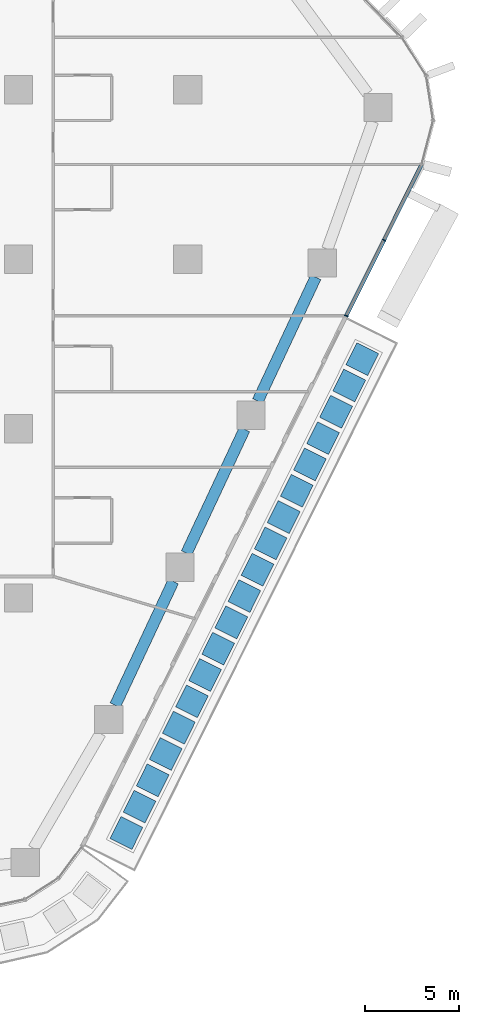
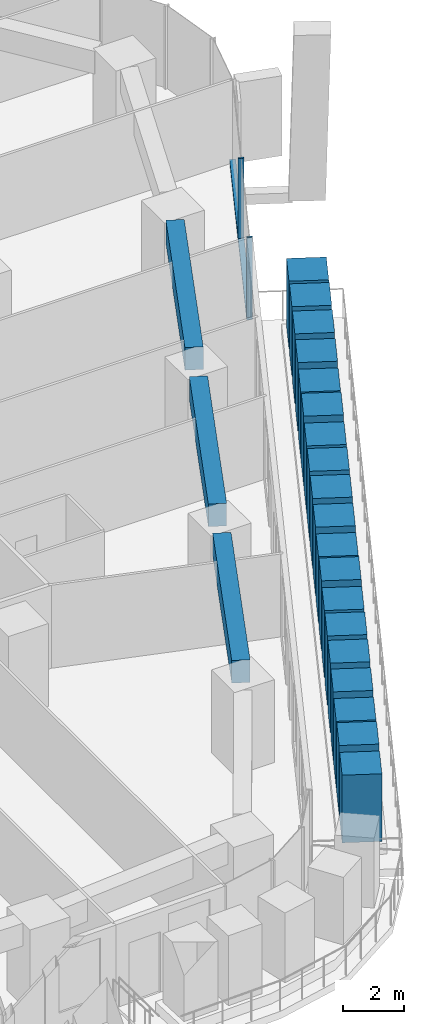
# One storey, part 7 of 27: 22 members, 3 beams, 1 element without a shape of its own.
"""IFC4 building model written with IfcOpenShell, lengths in metres."""

from ifc_helpers import new_model, si_unit, direction, frame, origin, origin_2d, place, context, subcontext, project, spatial, rectangle, extrude, material, layer, layer_set, material_profile, profile_set, type_object, element, aggregate, save


model = new_model("IFC4")

# Units and contexts
model_context = context("Model", 3, precision=1e-05, world=origin(), true_north=direction((0.0, 1.0)))
body_context = subcontext(model_context, "Body", "Model", "MODEL_VIEW")
ifc_project = project(units=[si_unit("LENGTHUNIT", "METRE"), si_unit("AREAUNIT", "SQUARE_METRE"), si_unit("VOLUMEUNIT", "CUBIC_METRE"), si_unit("PLANEANGLEUNIT", "RADIAN"), si_unit("MASSUNIT", "GRAM", prefix="KILO")], contexts=[model_context])

# Site, building, storey
site_placement = place(None, origin())
site = spatial("IfcSite", under=ifc_project, at=site_placement, CompositionType="ELEMENT")
building_placement = place(site_placement, origin())
building = spatial("IfcBuilding", under=site, at=building_placement, Name="Dongbaek Canopy Tower", CompositionType="ELEMENT")
storey_placement = place(building_placement, frame((0.0, 0.0, 62.5)))
storey = spatial("IfcBuildingStorey", under=building, at=storey_placement, Name="L11", CompositionType="ELEMENT", Elevation=62.5)

# Curtain wall, members
ifc_material_1 = material(Name="Aluminium 6063-T6 pale anodised", Category="aluminium")
ifc_layer = layer(ifc_material_1, 0.199951171875)
ifc_layer_set = layer_set([ifc_layer], Name="CW-1 unitised tower curtain wall")
curtain_wall_type = type_object("IfcCurtainWallType", Name="CW-1 unitised tower curtain wall", PredefinedType="NOTDEFINED", material=ifc_layer_set)
curtain_wall_placement = place(storey_placement, origin())
curtain_wall = element("IfcCurtainWall", 1, at=curtain_wall_placement, inside=storey, type_object=curtain_wall_type, Name="CW-1 curtain wall F5.1", PredefinedType="NOTDEFINED")
ifc_material_2 = material(Name="Aluminium 6063-T6 pale anodised", Category="aluminium")
ifc_material_profile_1 = material_profile(ifc_material_2, rectangle(XDim=0.199951171875, YDim=0.06005859375, at=origin_2d()), Name="CW-1 mullion 60 x 200")
ifc_profile_set_1 = profile_set([ifc_material_profile_1], Name="Aluminium 6063-T6 pale anodised")
member_type_1 = type_object("IfcMemberType", Name="CW-1 mullion 60 x 200", PredefinedType="MULLION", material=ifc_profile_set_1)
member_1_placement = place(storey_placement, frame((35.414306640625, -3.00634765625, 0.1201171875), z_axis=(0.0, 0.0, 1.0), x_axis=(0.895193313704, -0.445678057682, 0.0)))
member_1 = element("IfcMember", 2, at=member_1_placement, type_object=member_type_1, Name="CW-1 mullion F5.1.1", PredefinedType="MULLION", context=body_context, shape_type="SweptSolid", body=[
    extrude(rectangle(XDim=0.199951171875, YDim=0.06005859375, at=origin_2d()), origin(), (0.0, 0.0, 1.0), 3.179931640625),
])
member_2_placement = place(storey_placement, frame((37.418212890625, 1.018798828125, 0.1201171875), z_axis=(0.0, 0.0, 1.0), x_axis=(0.895193313704, -0.445678057682, 0.0)))
member_2 = element("IfcMember", 3, at=member_2_placement, type_object=member_type_1, Name="CW-1 mullion F5.1.2", PredefinedType="MULLION", context=body_context, shape_type="SweptSolid", body=[
    extrude(rectangle(XDim=0.199951171875, YDim=0.06005859375, at=origin_2d()), origin(), (0.0, 0.0, 1.0), 3.179931640625),
])
ifc_material_3 = material(Name="Aluminium 6063-T6 pale anodised", Category="aluminium")
ifc_material_profile_2 = material_profile(ifc_material_3, rectangle(XDim=0.199951171875, YDim=0.1201171875, at=origin_2d()), Name="CW-1 transom 120 x 200")
ifc_profile_set_2 = profile_set([ifc_material_profile_2], Name="Aluminium 6063-T6 pale anodised")
member_type_2 = type_object("IfcMemberType", Name="CW-1 transom 120 x 200", PredefinedType="USERDEFINED", material=ifc_profile_set_2)
member_3_placement = place(storey_placement, frame((35.414306640625, -3.00634765625, 0.06005859375), z_axis=(0.445690891022, 0.895186924424, 0.0), x_axis=(-0.895186924424, 0.445690891022, 0.0)))
member_3 = element("IfcMember", 4, at=member_3_placement, type_object=member_type_2, Name="CW-1 transom F5.1.1", ObjectType="TRANSOM", PredefinedType="USERDEFINED", context=body_context, shape_type="SweptSolid", body=[
    extrude(rectangle(XDim=0.199951171875, YDim=0.1201171875, at=origin_2d()), origin(), (0.0, 0.0, 1.0), 8.982421875),
])
aggregate(curtain_wall, [member_1, member_2, member_3])

# Beams
ifc_material_4 = material(Name="Concrete C80", Category="concrete")
ifc_material_profile_3 = material_profile(ifc_material_4, rectangle(XDim=0.60009765625, YDim=0.89990234375, at=origin_2d()), Name="RC EDGE BEAM 600x900 C80")
ifc_profile_set_3 = profile_set([ifc_material_profile_3], Name="Concrete C80")
beam_type = type_object("IfcBeamType", Name="RC EDGE BEAM 600x900 C80", PredefinedType="BEAM", material=ifc_profile_set_3)
beam_1_placement = place(storey_placement, frame((33.791748046875, -0.955078125, 2.85009765625), z_axis=(-0.424064450026, -0.905632012588, 0.0), x_axis=(0.905632012588, -0.424064450026, 0.0)))
element("IfcBeam", 5, at=beam_1_placement, inside=storey, type_object=beam_type, Name="EDGEBEAM:L11:22", PredefinedType="BEAM", context=body_context, shape_type="SweptSolid", body=[
    extrude(rectangle(XDim=0.60009765625, YDim=0.89990234375, at=origin_2d()), origin(), (0.0, 0.0, 1.0), 7.264404296875),
])
beam_2_placement = place(storey_placement, frame((30.0087890625, -9.033935546875, 2.85009765625), z_axis=(-0.424110161641, -0.905610606604, 0.0), x_axis=(0.905610606604, -0.424110161641, 0.0)))
element("IfcBeam", 6, at=beam_2_placement, inside=storey, type_object=beam_type, Name="EDGEBEAM:L11:23", PredefinedType="BEAM", context=body_context, shape_type="SweptSolid", body=[
    extrude(rectangle(XDim=0.60009765625, YDim=0.89990234375, at=origin_2d()), origin(), (0.0, 0.0, 1.0), 7.265869140625),
])
beam_3_placement = place(storey_placement, frame((26.224609375, -17.114013671875, 2.85009765625), z_axis=(-0.42413422917, -0.905599335052, 0.0), x_axis=(0.905599335052, -0.42413422917, 0.0)))
element("IfcBeam", 7, at=beam_3_placement, inside=storey, type_object=beam_type, Name="EDGEBEAM:L11:24", PredefinedType="BEAM", context=body_context, shape_type="SweptSolid", body=[
    extrude(rectangle(XDim=0.60009765625, YDim=0.89990234375, at=origin_2d()), origin(), (0.0, 0.0, 1.0), 7.264892578125),
])

# Members
ifc_material_5 = material(Name="Concrete C40/50 planter mass with planting", Category="concrete")
ifc_material_profile_4 = material_profile(ifc_material_5, rectangle(XDim=1.300048828125, YDim=1.300048828125, at=origin_2d()), Name="Terrace PLANTER shrub mass 1300 x 1300")
ifc_profile_set_4 = profile_set([ifc_material_profile_4], Name="Concrete C40/50 planter mass with planting")
member_type_3 = type_object("IfcMemberType", Name="Terrace PLANTER shrub mass 1300 x 1300", PredefinedType="USERDEFINED", material=ifc_profile_set_4)
member_4_placement = place(storey_placement, frame((23.738037109375, -30.475830078125, 0.419921875), z_axis=(0.0, 0.0, 1.0), x_axis=(0.895193313704, -0.445678057682, 0.0)))
element("IfcMember", 8, at=member_4_placement, inside=storey, type_object=member_type_3, Name="Planter shrubs L11 5.1", ObjectType="PLANTER", PredefinedType="USERDEFINED", context=body_context, shape_type="SweptSolid", body=[
    extrude(rectangle(XDim=1.300048828125, YDim=1.300048828125, at=origin_2d()), origin(), (0.0, 0.0, 1.0), 2.690185546875),
])
member_5_placement = place(storey_placement, frame((24.43408203125, -29.07763671875, 0.419921875), z_axis=(0.0, 0.0, 1.0), x_axis=(0.895193313704, -0.445678057682, 0.0)))
element("IfcMember", 9, at=member_5_placement, inside=storey, type_object=member_type_3, Name="Planter shrubs L11 5.2", ObjectType="PLANTER", PredefinedType="USERDEFINED", context=body_context, shape_type="SweptSolid", body=[
    extrude(rectangle(XDim=1.300048828125, YDim=1.300048828125, at=origin_2d()), origin(), (0.0, 0.0, 1.0), 2.780029296875),
])
member_6_placement = place(storey_placement, frame((25.130126953125, -27.679443359375, 0.419921875), z_axis=(0.0, 0.0, 1.0), x_axis=(0.895193313704, -0.445678057682, 0.0)))
element("IfcMember", 10, at=member_6_placement, inside=storey, type_object=member_type_3, Name="Planter shrubs L11 5.3", ObjectType="PLANTER", PredefinedType="USERDEFINED", context=body_context, shape_type="SweptSolid", body=[
    extrude(rectangle(XDim=1.300048828125, YDim=1.300048828125, at=origin_2d()), origin(), (0.0, 0.0, 1.0), 2.650146484375),
])
member_7_placement = place(storey_placement, frame((25.826416015625, -26.28125, 0.419921875), z_axis=(0.0, 0.0, 1.0), x_axis=(0.895193313704, -0.445678057682, 0.0)))
element("IfcMember", 11, at=member_7_placement, inside=storey, type_object=member_type_3, Name="Planter shrubs L11 5.4", ObjectType="PLANTER", PredefinedType="USERDEFINED", context=body_context, shape_type="SweptSolid", body=[
    extrude(rectangle(XDim=1.300048828125, YDim=1.300048828125, at=origin_2d()), origin(), (0.0, 0.0, 1.0), 2.72998046875),
])
member_8_placement = place(storey_placement, frame((26.5224609375, -24.883056640625, 0.419921875), z_axis=(0.0, 0.0, 1.0), x_axis=(0.895193313704, -0.445678057682, 0.0)))
element("IfcMember", 12, at=member_8_placement, inside=storey, type_object=member_type_3, Name="Planter shrubs L11 5.5", ObjectType="PLANTER", PredefinedType="USERDEFINED", context=body_context, shape_type="SweptSolid", body=[
    extrude(rectangle(XDim=1.300048828125, YDim=1.300048828125, at=origin_2d()), origin(), (0.0, 0.0, 1.0), 2.780029296875),
])
member_9_placement = place(storey_placement, frame((27.218505859375, -23.485107421875, 0.419921875), z_axis=(0.0, 0.0, 1.0), x_axis=(0.895193313704, -0.445678057682, 0.0)))
element("IfcMember", 13, at=member_9_placement, inside=storey, type_object=member_type_3, Name="Planter shrubs L11 5.6", ObjectType="PLANTER", PredefinedType="USERDEFINED", context=body_context, shape_type="SweptSolid", body=[
    extrude(rectangle(XDim=1.300048828125, YDim=1.300048828125, at=origin_2d()), origin(), (0.0, 0.0, 1.0), 2.77001953125),
])
member_10_placement = place(storey_placement, frame((27.91455078125, -22.0869140625, 0.419921875), z_axis=(0.0, 0.0, 1.0), x_axis=(0.895193313704, -0.445678057682, 0.0)))
element("IfcMember", 14, at=member_10_placement, inside=storey, type_object=member_type_3, Name="Planter shrubs L11 5.7", ObjectType="PLANTER", PredefinedType="USERDEFINED", context=body_context, shape_type="SweptSolid", body=[
    extrude(rectangle(XDim=1.300048828125, YDim=1.300048828125, at=origin_2d()), origin(), (0.0, 0.0, 1.0), 2.690185546875),
])
member_11_placement = place(storey_placement, frame((28.610595703125, -20.688720703125, 0.419921875), z_axis=(0.0, 0.0, 1.0), x_axis=(0.895193313704, -0.445678057682, 0.0)))
element("IfcMember", 15, at=member_11_placement, inside=storey, type_object=member_type_3, Name="Planter shrubs L11 5.8", ObjectType="PLANTER", PredefinedType="USERDEFINED", context=body_context, shape_type="SweptSolid", body=[
    extrude(rectangle(XDim=1.300048828125, YDim=1.300048828125, at=origin_2d()), origin(), (0.0, 0.0, 1.0), 2.780029296875),
])
member_12_placement = place(storey_placement, frame((29.306640625, -19.29052734375, 0.419921875), z_axis=(0.0, 0.0, 1.0), x_axis=(0.895193313704, -0.445678057682, 0.0)))
element("IfcMember", 16, at=member_12_placement, inside=storey, type_object=member_type_3, Name="Planter shrubs L11 5.9", ObjectType="PLANTER", PredefinedType="USERDEFINED", context=body_context, shape_type="SweptSolid", body=[
    extrude(rectangle(XDim=1.300048828125, YDim=1.300048828125, at=origin_2d()), origin(), (0.0, 0.0, 1.0), 2.650146484375),
])
member_13_placement = place(storey_placement, frame((30.0029296875, -17.892333984375, 0.419921875), z_axis=(0.0, 0.0, 1.0), x_axis=(0.895193313704, -0.445678057682, 0.0)))
element("IfcMember", 17, at=member_13_placement, inside=storey, type_object=member_type_3, Name="Planter shrubs L11 5.10", ObjectType="PLANTER", PredefinedType="USERDEFINED", context=body_context, shape_type="SweptSolid", body=[
    extrude(rectangle(XDim=1.300048828125, YDim=1.300048828125, at=origin_2d()), origin(), (0.0, 0.0, 1.0), 2.72998046875),
])
member_14_placement = place(storey_placement, frame((30.698974609375, -16.494140625, 0.419921875), z_axis=(0.0, 0.0, 1.0), x_axis=(0.895193313704, -0.445678057682, 0.0)))
element("IfcMember", 18, at=member_14_placement, inside=storey, type_object=member_type_3, Name="Planter shrubs L11 5.11", ObjectType="PLANTER", PredefinedType="USERDEFINED", context=body_context, shape_type="SweptSolid", body=[
    extrude(rectangle(XDim=1.300048828125, YDim=1.300048828125, at=origin_2d()), origin(), (0.0, 0.0, 1.0), 2.780029296875),
])
member_15_placement = place(storey_placement, frame((31.39501953125, -15.095947265625, 0.419921875), z_axis=(0.0, 0.0, 1.0), x_axis=(0.895193313704, -0.445678057682, 0.0)))
element("IfcMember", 19, at=member_15_placement, inside=storey, type_object=member_type_3, Name="Planter shrubs L11 5.12", ObjectType="PLANTER", PredefinedType="USERDEFINED", context=body_context, shape_type="SweptSolid", body=[
    extrude(rectangle(XDim=1.300048828125, YDim=1.300048828125, at=origin_2d()), origin(), (0.0, 0.0, 1.0), 2.77001953125),
])
member_16_placement = place(storey_placement, frame((32.091064453125, -13.697998046875, 0.419921875), z_axis=(0.0, 0.0, 1.0), x_axis=(0.895193313704, -0.445678057682, 0.0)))
element("IfcMember", 20, at=member_16_placement, inside=storey, type_object=member_type_3, Name="Planter shrubs L11 5.13", ObjectType="PLANTER", PredefinedType="USERDEFINED", context=body_context, shape_type="SweptSolid", body=[
    extrude(rectangle(XDim=1.300048828125, YDim=1.300048828125, at=origin_2d()), origin(), (0.0, 0.0, 1.0), 2.690185546875),
])
member_17_placement = place(storey_placement, frame((32.787109375, -12.2998046875, 0.419921875), z_axis=(0.0, 0.0, 1.0), x_axis=(0.895193313704, -0.445678057682, 0.0)))
element("IfcMember", 21, at=member_17_placement, inside=storey, type_object=member_type_3, Name="Planter shrubs L11 5.14", ObjectType="PLANTER", PredefinedType="USERDEFINED", context=body_context, shape_type="SweptSolid", body=[
    extrude(rectangle(XDim=1.300048828125, YDim=1.300048828125, at=origin_2d()), origin(), (0.0, 0.0, 1.0), 2.780029296875),
])
member_18_placement = place(storey_placement, frame((33.483154296875, -10.901611328125, 0.419921875), z_axis=(0.0, 0.0, 1.0), x_axis=(0.895193313704, -0.445678057682, 0.0)))
element("IfcMember", 22, at=member_18_placement, inside=storey, type_object=member_type_3, Name="Planter shrubs L11 5.15", ObjectType="PLANTER", PredefinedType="USERDEFINED", context=body_context, shape_type="SweptSolid", body=[
    extrude(rectangle(XDim=1.300048828125, YDim=1.300048828125, at=origin_2d()), origin(), (0.0, 0.0, 1.0), 2.650146484375),
])
member_19_placement = place(storey_placement, frame((34.17919921875, -9.50341796875, 0.419921875), z_axis=(0.0, 0.0, 1.0), x_axis=(0.895193313704, -0.445678057682, 0.0)))
element("IfcMember", 23, at=member_19_placement, inside=storey, type_object=member_type_3, Name="Planter shrubs L11 5.16", ObjectType="PLANTER", PredefinedType="USERDEFINED", context=body_context, shape_type="SweptSolid", body=[
    extrude(rectangle(XDim=1.300048828125, YDim=1.300048828125, at=origin_2d()), origin(), (0.0, 0.0, 1.0), 2.72998046875),
])
member_20_placement = place(storey_placement, frame((34.87548828125, -8.105224609375, 0.419921875), z_axis=(0.0, 0.0, 1.0), x_axis=(0.895193313704, -0.445678057682, 0.0)))
element("IfcMember", 24, at=member_20_placement, inside=storey, type_object=member_type_3, Name="Planter shrubs L11 5.17", ObjectType="PLANTER", PredefinedType="USERDEFINED", context=body_context, shape_type="SweptSolid", body=[
    extrude(rectangle(XDim=1.300048828125, YDim=1.300048828125, at=origin_2d()), origin(), (0.0, 0.0, 1.0), 2.780029296875),
])
member_21_placement = place(storey_placement, frame((35.571533203125, -6.70703125, 0.419921875), z_axis=(0.0, 0.0, 1.0), x_axis=(0.895193313704, -0.445678057682, 0.0)))
element("IfcMember", 25, at=member_21_placement, inside=storey, type_object=member_type_3, Name="Planter shrubs L11 5.18", ObjectType="PLANTER", PredefinedType="USERDEFINED", context=body_context, shape_type="SweptSolid", body=[
    extrude(rectangle(XDim=1.300048828125, YDim=1.300048828125, at=origin_2d()), origin(), (0.0, 0.0, 1.0), 2.77001953125),
])
member_22_placement = place(storey_placement, frame((36.267578125, -5.308837890625, 0.419921875), z_axis=(0.0, 0.0, 1.0), x_axis=(0.895193313704, -0.445678057682, 0.0)))
element("IfcMember", 26, at=member_22_placement, inside=storey, type_object=member_type_3, Name="Planter shrubs L11 5.19", ObjectType="PLANTER", PredefinedType="USERDEFINED", context=body_context, shape_type="SweptSolid", body=[
    extrude(rectangle(XDim=1.300048828125, YDim=1.300048828125, at=origin_2d()), origin(), (0.0, 0.0, 1.0), 2.690185546875),
])

save(model, "model.ifc")
